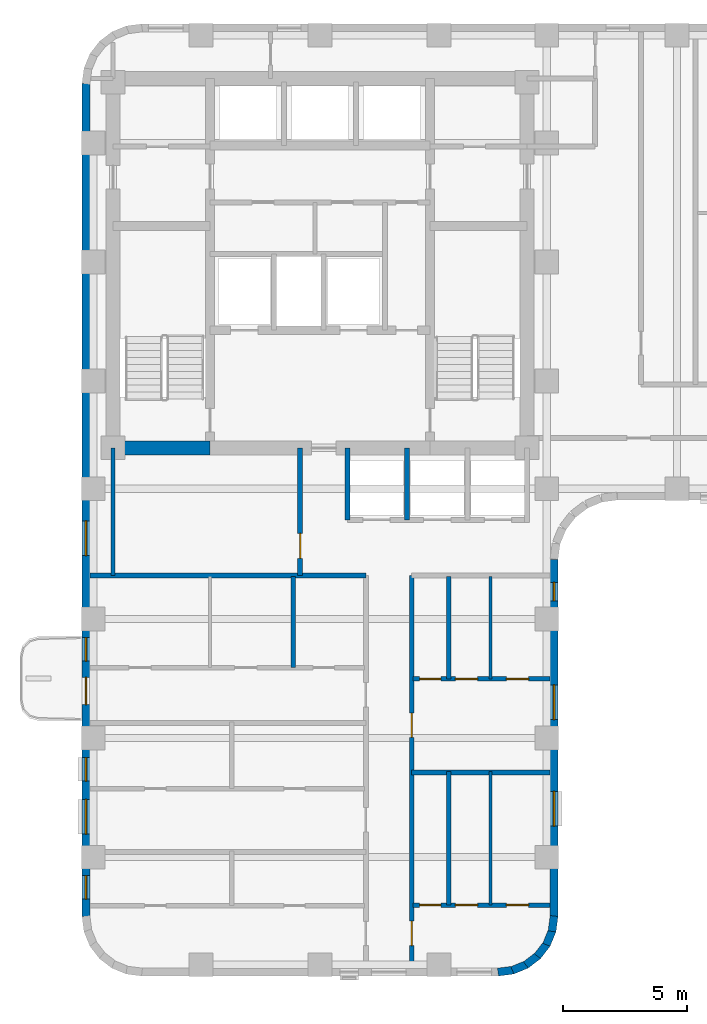
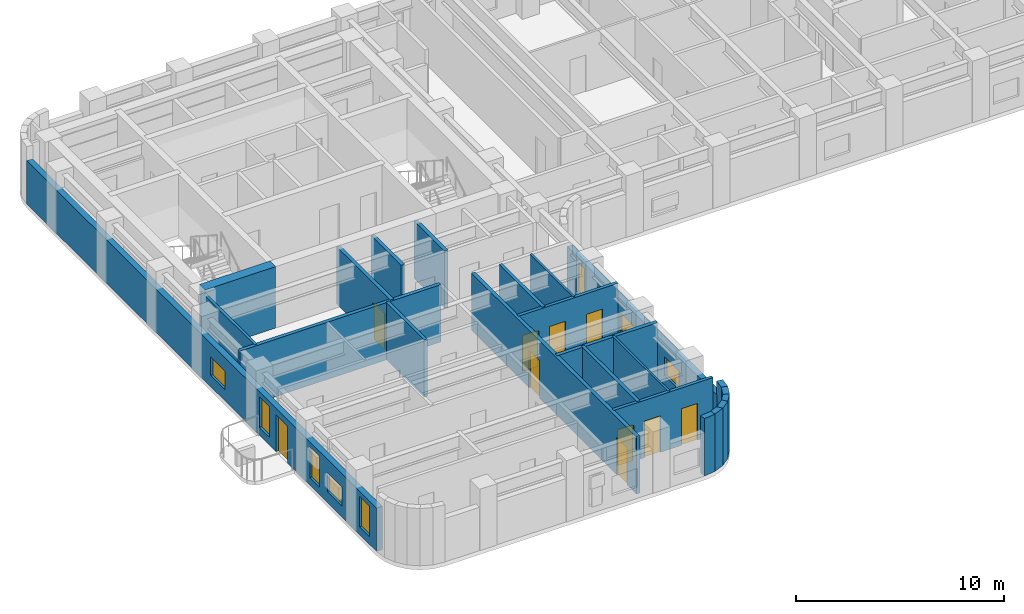
# One storey, part 3 of 10: 23 walls, 10 doors, 8 windows, 18 openings.
"""IFC4 building model written with IfcOpenShell, lengths in metres."""

from ifc_helpers import new_model, si_unit, direction, frame, frame_2d, origin, place, context, subcontext, project, spatial, rectangle, extrude, material, layer, layer_set, type_object, element, fill, save


model = new_model("IFC4")

# Units and contexts
model_context = context("Model", 3, precision=1e-05, world=origin(), true_north=direction((0.0, 1.0)))
body_context = subcontext(model_context, "Body", "Model", "MODEL_VIEW")
ifc_project = project(units=[si_unit("LENGTHUNIT", "METRE"), si_unit("AREAUNIT", "SQUARE_METRE"), si_unit("VOLUMEUNIT", "CUBIC_METRE"), si_unit("PLANEANGLEUNIT", "RADIAN"), si_unit("MASSUNIT", "GRAM", prefix="KILO")], contexts=[model_context])

# Site, building, storey
site_placement = place(None, origin())
site = spatial("IfcSite", under=ifc_project, at=site_placement, CompositionType="ELEMENT")
building_placement = place(site_placement, origin())
building = spatial("IfcBuilding", under=site, at=building_placement, Name="Orvandelia Arch Residences", CompositionType="ELEMENT")
storey_placement = place(building_placement, frame((0.0, 0.0, 132.39990234375)))
storey = spatial("IfcBuildingStorey", under=building, at=storey_placement, Name="L34", CompositionType="ELEMENT", Elevation=132.39990234375)

# Wall
ifc_material_1 = material(Name="Concrete C60/75", Category="concrete")
ifc_layer_1 = layer(ifc_material_1, 0.550048828125, Name="Concrete C60/75", Category="concrete")
ifc_layer_set_1 = layer_set([ifc_layer_1], Name="Concrete C60/75")
wall_type_1 = type_object("IfcWallType", Name="WL-CORE-550", PredefinedType="SHEAR", material=ifc_layer_set_1)
wall_1_placement = place(storey_placement, frame((6.050048828125, 30.89990234375, 0.0), z_axis=(0.0, 0.0, 1.0), x_axis=(1.0, 0.0, 0.0)))
element("IfcWall", 1, at=wall_1_placement, inside=storey, type_object=wall_type_1, Name="Core Shear Wall L34-SW", PredefinedType="SHEAR", context=body_context, shape_type="SweptSolid", body=[
    extrude(rectangle(XDim=3.909912109375, YDim=0.550048828125, at=frame_2d((1.955078125, 0.0))), origin(), (0.0, 0.0, 1.0), 3.60009765625),
])

# Wall, openings, doors
ifc_material_2 = material(Name="Fire-Rated Corridor Partition")
ifc_layer_2 = layer(ifc_material_2, 0.199951171875, Name="Fire-Rated Corridor Partition")
ifc_layer_set_2 = layer_set([ifc_layer_2], Name="Fire-Rated Corridor Partition")
wall_type_2 = type_object("IfcWallType", Name="WL-CORR-200", PredefinedType="PARTITIONING", material=ifc_layer_set_2)
wall_2_placement = place(storey_placement, frame((18.10009765625, 9.919921875, 0.0), z_axis=(0.0, 0.0, 1.0), x_axis=(0.0, 1.0, 0.0)))
wall_2 = element("IfcWall", 2, at=wall_2_placement, inside=storey, type_object=wall_type_2, Name="Interior Partition Wall WL-L34-WC-E", PredefinedType="PARTITIONING", context=body_context, shape_type="SweptSolid", body=[
    extrude(rectangle(XDim=15.830078125, YDim=0.199951171875, at=frame_2d((7.9150390625, 0.0))), origin(), (0.0, 0.0, 1.0), 3.360107421875),
])
opening_1_placement = place(wall_2_placement, frame((0.910888671875, 0.0, 0.0)))
opening_1 = element("IfcOpeningElement", 3, at=opening_1_placement, cuts=wall_2, Name="Opening D1", PredefinedType="OPENING", context=body_context, shape_type="SweptSolid", body=[
    extrude(rectangle(XDim=0.97998046875, YDim=2.179931640625, at=frame_2d((0.489990234375, 1.08984375))), frame((0.0, 0.10986328125, 0.0), z_axis=(0.0, -1.0, 0.0), x_axis=(1.0, 0.0, 0.0)), (0.0, 0.0, 1.0), 0.219970703125),
])
opening_2_placement = place(wall_2_placement, frame((9.302001953125, 0.0, 0.0)))
opening_2 = element("IfcOpeningElement", 4, at=opening_2_placement, cuts=wall_2, Name="Opening D1", PredefinedType="OPENING", context=body_context, shape_type="SweptSolid", body=[
    extrude(rectangle(XDim=0.97998046875, YDim=2.179931640625, at=frame_2d((0.489990234375, 1.08984375))), frame((0.0, 0.10986328125, 0.0), z_axis=(0.0, -1.0, 0.0), x_axis=(1.0, 0.0, 0.0)), (0.0, 0.0, 1.0), 0.219970703125),
])
ifc_material_3 = material(Name="Solid-Core Timber Acoustic Fire Door", Category="wood")
door_type_1 = type_object("IfcDoorType", Name="DR-ENT-980", OperationType="NOTDEFINED", PredefinedType="DOOR", material=ifc_material_3)
door_1_placement = place(opening_1_placement, origin())
door_1 = element("IfcDoor", 5, at=door_1_placement, inside=storey, type_object=door_type_1, Name="Unit L34-04 Entrance Door", OperationType="SINGLE_SWING_RIGHT", OverallHeight=2.179931640625, OverallWidth=0.97998046875, PredefinedType="DOOR", context=body_context, shape_type="SweptSolid", body=[
    extrude(rectangle(XDim=0.97998046875, YDim=2.179931640625, at=frame_2d((0.489990234375, 1.08984375))), frame((0.0, 0.02490234375, 0.0), z_axis=(0.0, -1.0, 0.0), x_axis=(1.0, 0.0, 0.0)), (0.0, 0.0, 1.0), 0.050048828125),
])
fill(opening_1, door_1)
door_2_placement = place(opening_2_placement, origin())
door_2 = element("IfcDoor", 6, at=door_2_placement, inside=storey, type_object=door_type_1, Name="Unit L34-05 Entrance Door", OperationType="SINGLE_SWING_LEFT", OverallHeight=2.179931640625, OverallWidth=0.97998046875, PredefinedType="DOOR", context=body_context, shape_type="SweptSolid", body=[
    extrude(rectangle(XDim=0.97998046875, YDim=2.179931640625, at=frame_2d((0.489990234375, 1.08984375))), frame((0.0, 0.02490234375, 0.0), z_axis=(0.0, -1.0, 0.0), x_axis=(1.0, 0.0, 0.0)), (0.0, 0.0, 1.0), 0.050048828125),
])
fill(opening_2, door_2)

# Walls
wall_3_placement = place(storey_placement, frame((5.1201171875, 25.75, 0.0), z_axis=(0.0, 0.0, 1.0), x_axis=(1.0, 0.0, 0.0)))
element("IfcWall", 7, at=wall_3_placement, inside=storey, type_object=wall_type_2, Name="Interior Partition Wall WL-L34-WCLS-W", PredefinedType="PARTITIONING", context=body_context, shape_type="SweptSolid", body=[
    extrude(rectangle(XDim=11.1298828125, YDim=0.199951171875, at=frame_2d((5.56494140625, 0.0))), origin(), (0.0, 0.0, 1.0), 3.360107421875),
])
ifc_material_4 = material(Name="Concrete C40/50", Category="concrete")
ifc_layer_3 = layer(ifc_material_4, 0.199951171875, Name="Concrete C40/50", Category="concrete")
ifc_layer_set_3 = layer_set([ifc_layer_3], Name="Concrete C40/50")
wall_type_3 = type_object("IfcWallType", Name="WL-DEM-200", PredefinedType="SOLIDWALL", material=ifc_layer_set_3)
wall_4_placement = place(storey_placement, frame((18.10009765625, 17.800048828125, 0.0), z_axis=(0.0, 0.0, 1.0), x_axis=(1.0, 0.0, 0.0)))
element("IfcWall", 8, at=wall_4_placement, inside=storey, type_object=wall_type_3, Name="Interior Partition Wall WL-L34-DEM-WR-178", PredefinedType="SOLIDWALL", context=body_context, shape_type="SweptSolid", body=[
    extrude(rectangle(XDim=5.579833984375, YDim=0.199951171875, at=frame_2d((2.7900390625, 0.0))), origin(), (0.0, 0.0, 1.0), 3.360107421875),
])

# Wall, openings, windows
ifc_material_5 = material(Name="Precast concrete C40/50", Category="concrete")
ifc_layer_4 = layer(ifc_material_5, 0.320068359375, Name="Precast concrete C40/50", Category="concrete")
ifc_layer_set_4 = layer_set([ifc_layer_4], Name="Precast concrete C40/50")
wall_type_4 = type_object("IfcWallType", Name="WL-EXT-STONE-320", PredefinedType="STANDARD", material=ifc_layer_set_4)
wall_5_placement = place(storey_placement, frame((23.840087890625, 26.39990234375, 0.0), z_axis=(0.0, 0.0, 1.0), x_axis=(0.0, -1.0, 0.0)))
wall_5 = element("IfcWall", 9, at=wall_5_placement, inside=storey, type_object=wall_type_4, Name="Coral-Limestone Precast Facade Wall L34-028", PredefinedType="STANDARD", context=body_context, shape_type="SweptSolid", body=[
    extrude(rectangle(XDim=14.39990234375, YDim=0.320068359375, at=frame_2d((7.199951171875, 0.0))), origin(), (0.0, 0.0, 1.0), 2.5400390625),
])
opening_3_placement = place(wall_5_placement, frame((9.3525390625, 0.0, 0.64990234375)))
opening_3 = element("IfcOpeningElement", 10, at=opening_3_placement, cuts=wall_5, Name="Opening W10", PredefinedType="OPENING", context=body_context, shape_type="SweptSolid", body=[
    extrude(rectangle(XDim=1.39990234375, YDim=1.10009765625, at=frame_2d((0.699951171875, 0.550048828125))), frame((0.0, 0.169921875, 0.0), z_axis=(0.0, -1.0, 0.0), x_axis=(1.0, 0.0, 0.0)), (0.0, 0.0, 1.0), 0.340087890625),
])
opening_4_placement = place(wall_5_placement, frame((0.91748046875, 0.0, 0.449951171875)))
opening_4 = element("IfcOpeningElement", 11, at=opening_4_placement, cuts=wall_5, Name="Opening W11", PredefinedType="OPENING", context=body_context, shape_type="SweptSolid", body=[
    extrude(rectangle(XDim=0.75, YDim=1.800048828125, at=frame_2d((0.375, 0.89990234375))), frame((0.0, 0.169921875, 0.0), z_axis=(0.0, -1.0, 0.0), x_axis=(1.0, 0.0, 0.0)), (0.0, 0.0, 1.0), 0.340087890625),
])
opening_5_placement = place(wall_5_placement, frame((5.060546875, 0.0, 0.64990234375)))
opening_5 = element("IfcOpeningElement", 12, at=opening_5_placement, cuts=wall_5, Name="Opening W10", PredefinedType="OPENING", context=body_context, shape_type="SweptSolid", body=[
    extrude(rectangle(XDim=1.39990234375, YDim=1.10009765625, at=frame_2d((0.699951171875, 0.550048828125))), frame((0.0, 0.169921875, 0.0), z_axis=(0.0, -1.0, 0.0), x_axis=(1.0, 0.0, 0.0)), (0.0, 0.0, 1.0), 0.340087890625),
])
ifc_material_6 = material(Name="Tempered Low-E Insulated Glazing", Category="glass")
window_type_1 = type_object("IfcWindowType", Name="WIN-BED-0750x1800", PartitioningType="SINGLE_PANEL", PredefinedType="WINDOW", material=ifc_material_6)
window_1_placement = place(opening_4_placement, origin())
window_1 = element("IfcWindow", 13, at=window_1_placement, inside=storey, type_object=window_type_1, Name="Recessed Punched Window L34-016", OverallHeight=1.800048828125, OverallWidth=0.75, PartitioningType="SINGLE_PANEL", PredefinedType="WINDOW", context=body_context, shape_type="SweptSolid", body=[
    extrude(rectangle(XDim=0.75, YDim=1.800048828125, at=frame_2d((0.375, 0.89990234375))), frame((0.0, 0.030029296875, 0.0), z_axis=(0.0, -1.0, 0.0), x_axis=(1.0, 0.0, 0.0)), (0.0, 0.0, 1.0), 0.06005859375),
])
fill(opening_4, window_1)
window_type_2 = type_object("IfcWindowType", Name="WIN-CLR-1400x1100", PartitioningType="SINGLE_PANEL", PredefinedType="WINDOW", material=ifc_material_6)
window_2_placement = place(opening_3_placement, origin())
window_2 = element("IfcWindow", 14, at=window_2_placement, inside=storey, type_object=window_type_2, Name="Recessed Punched Window L34-015", OverallHeight=1.10009765625, OverallWidth=1.39990234375, PartitioningType="SINGLE_PANEL", PredefinedType="WINDOW", context=body_context, shape_type="SweptSolid", body=[
    extrude(rectangle(XDim=1.39990234375, YDim=1.10009765625, at=frame_2d((0.699951171875, 0.550048828125))), frame((0.0, 0.030029296875, 0.0), z_axis=(0.0, -1.0, 0.0), x_axis=(1.0, 0.0, 0.0)), (0.0, 0.0, 1.0), 0.06005859375),
])
fill(opening_3, window_2)
window_3_placement = place(opening_5_placement, origin())
window_3 = element("IfcWindow", 15, at=window_3_placement, inside=storey, type_object=window_type_2, Name="Recessed Punched Window L34-017", OverallHeight=1.10009765625, OverallWidth=1.39990234375, PartitioningType="SINGLE_PANEL", PredefinedType="WINDOW", context=body_context, shape_type="SweptSolid", body=[
    extrude(rectangle(XDim=1.39990234375, YDim=1.10009765625, at=frame_2d((0.699951171875, 0.550048828125))), frame((0.0, 0.030029296875, 0.0), z_axis=(0.0, -1.0, 0.0), x_axis=(1.0, 0.0, 0.0)), (0.0, 0.0, 1.0), 0.06005859375),
])
fill(opening_5, window_3)

# Walls
wall_6_placement = place(storey_placement, frame((23.84130859375, 12.02099609375, 0.0), z_axis=(0.0, 0.0, 1.0), x_axis=(-0.130504898859, -0.991447664465, 0.0)))
element("IfcWall", 16, at=wall_6_placement, inside=storey, type_object=wall_type_4, Name="Coral-Limestone Precast Facade Wall L34-029", PredefinedType="STANDARD", context=body_context, shape_type="SweptSolid", body=[
    extrude(rectangle(XDim=0.626708984375, YDim=0.320068359375, at=frame_2d((0.3134765625, 0.0))), origin(), (0.0, 0.0, 1.0), 3.360107421875),
])
for number, where, z_axis, x_axis, name in (
    (17, (23.7705078125, 11.43994140625, 0.0), (0.0, 0.0, 1.0), (-0.382650053678, -0.92389335771, 0.0), "Coral-Limestone Precast Facade Wall L34-030"),
    (18, (23.551513671875, 10.8974609375, 0.0), (0.0, 0.0, 1.0), (-0.608693302629, -0.793405610854, 0.0), "Coral-Limestone Precast Facade Wall L34-031"),
    (19, (23.19970703125, 10.4296875, 0.0), (0.0, 0.0, 1.0), (-0.793405610854, -0.608693302629, 0.0), "Coral-Limestone Precast Facade Wall L34-032"),
    (20, (22.73876953125, 10.0693359375, 0.0), (0.0, 0.0, 1.0), (-0.92389335771, -0.382650053678, 0.0), "Coral-Limestone Precast Facade Wall L34-033"),
    (21, (22.2001953125, 9.84033203125, 0.0), (0.0, 0.0, 1.0), (-0.9914410257, -0.130555323746, 0.0), "Coral-Limestone Precast Facade Wall L34-034"),
):
    element("IfcWall", number, at=place(storey_placement, frame(where, z_axis=z_axis, x_axis=x_axis)), inside=storey, type_object=wall_type_4, Name=name, PredefinedType="STANDARD", context=body_context, shape_type="SweptSolid", body=[
        extrude(rectangle(XDim=0.62646484375, YDim=0.320068359375, at=frame_2d((0.313232421875, 0.0))), origin(), (0.0, 0.0, 1.0), 3.360107421875),
    ])

# Wall, openings, door, windows
wall_7_placement = place(storey_placement, frame((4.9599609375, 12.0, 0.0), z_axis=(0.0, 0.0, 1.0), x_axis=(0.0, 1.0, 0.0)))
wall_7 = element("IfcWall", 22, at=wall_7_placement, inside=storey, type_object=wall_type_4, Name="Coral-Limestone Precast Facade Wall L34-042", PredefinedType="STANDARD", context=body_context, shape_type="SweptSolid", body=[
    extrude(rectangle(XDim=33.60009765625, YDim=0.320068359375, at=frame_2d((16.800048828125, 0.0))), origin(), (0.0, 0.0, 1.0), 2.5400390625),
])
opening_6_placement = place(wall_7_placement, frame((8.550048828125, 0.0, 0.0)))
opening_6 = element("IfcOpeningElement", 23, at=opening_6_placement, cuts=wall_7, Name="Opening BD1", PredefinedType="OPENING", context=body_context, shape_type="SweptSolid", body=[
    extrude(rectangle(XDim=1.10009765625, YDim=2.14990234375, at=frame_2d((0.550048828125, 1.074951171875))), frame((0.0, 0.169921875, 0.0), z_axis=(0.0, -1.0, 0.0), x_axis=(1.0, 0.0, 0.0)), (0.0, 0.0, 1.0), 0.340087890625),
])
opening_7_placement = place(wall_7_placement, frame((3.327392578125, 0.0, 0.64990234375)))
opening_7 = element("IfcOpeningElement", 24, at=opening_7_placement, cuts=wall_7, Name="Opening W10", PredefinedType="OPENING", context=body_context, shape_type="SweptSolid", body=[
    extrude(rectangle(XDim=1.39990234375, YDim=1.10009765625, at=frame_2d((0.699951171875, 0.550048828125))), frame((0.0, 0.169921875, 0.0), z_axis=(0.0, -1.0, 0.0), x_axis=(1.0, 0.0, 0.0)), (0.0, 0.0, 1.0), 0.340087890625),
])
opening_8_placement = place(wall_7_placement, frame((10.297607421875, 0.0, 0.449951171875)))
opening_8 = element("IfcOpeningElement", 25, at=opening_8_placement, cuts=wall_7, Name="Opening W4", PredefinedType="OPENING", context=body_context, shape_type="SweptSolid", body=[
    extrude(rectangle(XDim=0.949951171875, YDim=1.800048828125, at=frame_2d((0.47509765625, 0.89990234375))), frame((0.0, 0.169921875, 0.0), z_axis=(0.0, -1.0, 0.0), x_axis=(1.0, 0.0, 0.0)), (0.0, 0.0, 1.0), 0.340087890625),
])
opening_9_placement = place(wall_7_placement, frame((0.699462890625, 0.0, 0.449951171875)))
opening_9 = element("IfcOpeningElement", 26, at=opening_9_placement, cuts=wall_7, Name="Opening W4", PredefinedType="OPENING", context=body_context, shape_type="SweptSolid", body=[
    extrude(rectangle(XDim=0.949951171875, YDim=1.800048828125, at=frame_2d((0.47509765625, 0.89990234375))), frame((0.0, 0.169921875, 0.0), z_axis=(0.0, -1.0, 0.0), x_axis=(1.0, 0.0, 0.0)), (0.0, 0.0, 1.0), 0.340087890625),
])
opening_10_placement = place(wall_7_placement, frame((5.45751953125, 0.0, 0.449951171875)))
opening_10 = element("IfcOpeningElement", 27, at=opening_10_placement, cuts=wall_7, Name="Opening W4", PredefinedType="OPENING", context=body_context, shape_type="SweptSolid", body=[
    extrude(rectangle(XDim=0.949951171875, YDim=1.800048828125, at=frame_2d((0.47509765625, 0.89990234375))), frame((0.0, 0.169921875, 0.0), z_axis=(0.0, -1.0, 0.0), x_axis=(1.0, 0.0, 0.0)), (0.0, 0.0, 1.0), 0.340087890625),
])
opening_11_placement = place(wall_7_placement, frame((14.5576171875, 0.0, 0.64990234375)))
opening_11 = element("IfcOpeningElement", 28, at=opening_11_placement, cuts=wall_7, Name="Opening W10", PredefinedType="OPENING", context=body_context, shape_type="SweptSolid", body=[
    extrude(rectangle(XDim=1.39990234375, YDim=1.10009765625, at=frame_2d((0.699951171875, 0.550048828125))), frame((0.0, 0.169921875, 0.0), z_axis=(0.0, -1.0, 0.0), x_axis=(1.0, 0.0, 0.0)), (0.0, 0.0, 1.0), 0.340087890625),
])
ifc_material_7 = material(Name="Thermally Broken Aluminium Glazed Door", Category="aluminium")
door_type_2 = type_object("IfcDoorType", Name="DR-BAL-GLAZ-1100", OperationType="NOTDEFINED", PredefinedType="DOOR", material=ifc_material_7)
door_3_placement = place(opening_6_placement, origin())
door_3 = element("IfcDoor", 29, at=door_3_placement, inside=storey, type_object=door_type_2, Name="Tree Balcony Glazed Door BAL-L34-W1", OperationType="SINGLE_SWING_RIGHT", OverallHeight=2.14990234375, OverallWidth=1.10009765625, PredefinedType="DOOR", context=body_context, shape_type="SweptSolid", body=[
    extrude(rectangle(XDim=1.10009765625, YDim=2.14990234375, at=frame_2d((0.550048828125, 1.074951171875))), frame((0.0, 0.02490234375, 0.0), z_axis=(0.0, -1.0, 0.0), x_axis=(1.0, 0.0, 0.0)), (0.0, 0.0, 1.0), 0.050048828125),
])
fill(opening_6, door_3)
window_4_placement = place(opening_7_placement, origin())
window_4 = element("IfcWindow", 30, at=window_4_placement, inside=storey, type_object=window_type_2, Name="Recessed Punched Window L34-021", OverallHeight=1.10009765625, OverallWidth=1.39990234375, PartitioningType="SINGLE_PANEL", PredefinedType="WINDOW", context=body_context, shape_type="SweptSolid", body=[
    extrude(rectangle(XDim=1.39990234375, YDim=1.10009765625, at=frame_2d((0.699951171875, 0.550048828125))), frame((0.0, 0.030029296875, 0.0), z_axis=(0.0, -1.0, 0.0), x_axis=(1.0, 0.0, 0.0)), (0.0, 0.0, 1.0), 0.06005859375),
])
fill(opening_7, window_4)
window_5_placement = place(opening_11_placement, origin())
window_5 = element("IfcWindow", 31, at=window_5_placement, inside=storey, type_object=window_type_2, Name="Recessed Punched Window L34-025", OverallHeight=1.10009765625, OverallWidth=1.39990234375, PartitioningType="SINGLE_PANEL", PredefinedType="WINDOW", context=body_context, shape_type="SweptSolid", body=[
    extrude(rectangle(XDim=1.39990234375, YDim=1.10009765625, at=frame_2d((0.699951171875, 0.550048828125))), frame((0.0, 0.030029296875, 0.0), z_axis=(0.0, -1.0, 0.0), x_axis=(1.0, 0.0, 0.0)), (0.0, 0.0, 1.0), 0.06005859375),
])
fill(opening_11, window_5)
window_type_3 = type_object("IfcWindowType", Name="WIN-RES-0950x1800", PartitioningType="SINGLE_PANEL", PredefinedType="WINDOW", material=ifc_material_6)
window_6_placement = place(opening_8_placement, origin())
window_6 = element("IfcWindow", 32, at=window_6_placement, inside=storey, type_object=window_type_3, Name="Recessed Punched Window L34-022", OverallHeight=1.800048828125, OverallWidth=0.949951171875, PartitioningType="SINGLE_PANEL", PredefinedType="WINDOW", context=body_context, shape_type="SweptSolid", body=[
    extrude(rectangle(XDim=0.949951171875, YDim=1.800048828125, at=frame_2d((0.47509765625, 0.89990234375))), frame((0.0, 0.030029296875, 0.0), z_axis=(0.0, -1.0, 0.0), x_axis=(1.0, 0.0, 0.0)), (0.0, 0.0, 1.0), 0.06005859375),
])
fill(opening_8, window_6)
window_7_placement = place(opening_9_placement, origin())
window_7 = element("IfcWindow", 33, at=window_7_placement, inside=storey, type_object=window_type_3, Name="Recessed Punched Window L34-023", OverallHeight=1.800048828125, OverallWidth=0.949951171875, PartitioningType="SINGLE_PANEL", PredefinedType="WINDOW", context=body_context, shape_type="SweptSolid", body=[
    extrude(rectangle(XDim=0.949951171875, YDim=1.800048828125, at=frame_2d((0.47509765625, 0.89990234375))), frame((0.0, 0.030029296875, 0.0), z_axis=(0.0, -1.0, 0.0), x_axis=(1.0, 0.0, 0.0)), (0.0, 0.0, 1.0), 0.06005859375),
])
fill(opening_9, window_7)
window_8_placement = place(opening_10_placement, origin())
window_8 = element("IfcWindow", 34, at=window_8_placement, inside=storey, type_object=window_type_3, Name="Recessed Punched Window L34-024", OverallHeight=1.800048828125, OverallWidth=0.949951171875, PartitioningType="SINGLE_PANEL", PredefinedType="WINDOW", context=body_context, shape_type="SweptSolid", body=[
    extrude(rectangle(XDim=0.949951171875, YDim=1.800048828125, at=frame_2d((0.47509765625, 0.89990234375))), frame((0.0, 0.030029296875, 0.0), z_axis=(0.0, -1.0, 0.0), x_axis=(1.0, 0.0, 0.0)), (0.0, 0.0, 1.0), 0.06005859375),
])
fill(opening_10, window_8)

# Walls
ifc_material_8 = material(Name="Lightweight Gypsum Stud Partition")
ifc_layer_5 = layer(ifc_material_8, 0.1201171875, Name="Lightweight Gypsum Stud Partition")
ifc_layer_set_5 = layer_set([ifc_layer_5], Name="Lightweight Gypsum Stud Partition")
wall_type_5 = type_object("IfcWallType", Name="WL-PART-120", PredefinedType="PARTITIONING", material=ifc_layer_set_5)
wall_8_placement = place(storey_placement, frame((21.284912109375, 12.4619140625, 0.0), z_axis=(0.0, 0.0, 1.0), x_axis=(0.0, 1.0, 0.0)))
element("IfcWall", 35, at=wall_8_placement, inside=storey, type_object=wall_type_5, Name="Interior Partition Wall WL-L34-U04-V2", PredefinedType="PARTITIONING", context=body_context, shape_type="SweptSolid", body=[
    extrude(rectangle(XDim=5.378173828125, YDim=0.1201171875, at=frame_2d((2.68896484375, 0.0))), origin(), (0.0, 0.0, 1.0), 3.360107421875),
])
wall_9_placement = place(storey_placement, frame((21.284912109375, 21.583984375, 0.0), z_axis=(0.0, 0.0, 1.0), x_axis=(0.0, 1.0, 0.0)))
element("IfcWall", 36, at=wall_9_placement, inside=storey, type_object=wall_type_5, Name="Interior Partition Wall WL-L34-U05-V2", PredefinedType="PARTITIONING", context=body_context, shape_type="SweptSolid", body=[
    extrude(rectangle(XDim=4.135986328125, YDim=0.1201171875, at=frame_2d((2.06787109375, 0.0))), origin(), (0.0, 0.0, 1.0), 3.360107421875),
])
ifc_material_9 = material(Name="Acoustic Gypsum Stud Partition")
ifc_layer_6 = layer(ifc_material_9, 0.14990234375, Name="Acoustic Gypsum Stud Partition")
ifc_layer_set_6 = layer_set([ifc_layer_6], Name="Acoustic Gypsum Stud Partition")
wall_type_6 = type_object("IfcWallType", Name="WL-PART-150", PredefinedType="PARTITIONING", material=ifc_layer_set_6)
wall_10_placement = place(storey_placement, frame((6.050048828125, 25.75, 0.0), z_axis=(0.0, 0.0, 1.0), x_axis=(0.0, 1.0, 0.0)))
element("IfcWall", 37, at=wall_10_placement, inside=storey, type_object=wall_type_6, Name="Interior Partition Wall WL-L34-B1REUSE-W", PredefinedType="PARTITIONING", context=body_context, shape_type="SweptSolid", body=[
    extrude(rectangle(XDim=5.14990234375, YDim=0.14990234375, at=frame_2d((2.574951171875, 0.0))), origin(), (0.0, 0.0, 1.0), 3.360107421875),
])

# Wall, opening, door
ifc_material_10 = material(Name="Fire-Rated Shaft Enclosure Wall")
ifc_layer_7 = layer(ifc_material_10, 0.199951171875, Name="Fire-Rated Shaft Enclosure Wall")
ifc_layer_set_7 = layer_set([ifc_layer_7], Name="Fire-Rated Shaft Enclosure Wall")
wall_type_7 = type_object("IfcWallType", Name="WL-SHAFT-200", PredefinedType="POLYGONAL", material=ifc_layer_set_7)
wall_11_placement = place(storey_placement, frame((13.60009765625, 25.75, 0.0), z_axis=(0.0, 0.0, 1.0), x_axis=(0.0, 1.0, 0.0)))
wall_11 = element("IfcWall", 38, at=wall_11_placement, inside=storey, type_object=wall_type_7, Name="Interior Partition Wall WL-L34-B1REUSE-E", PredefinedType="POLYGONAL", context=body_context, shape_type="SweptSolid", body=[
    extrude(rectangle(XDim=5.14990234375, YDim=0.199951171875, at=frame_2d((2.574951171875, 0.0))), origin(), (0.0, 0.0, 1.0), 3.360107421875),
])
opening_12_placement = place(wall_11_placement, frame((0.699951171875, 0.0, 0.0)))
opening_12 = element("IfcOpeningElement", 39, at=opening_12_placement, cuts=wall_11, Name="Opening D6", PredefinedType="OPENING", context=body_context, shape_type="SweptSolid", body=[
    extrude(rectangle(XDim=1.0, YDim=2.14990234375, at=frame_2d((0.5, 1.074951171875))), frame((0.0, 0.10986328125, 0.0), z_axis=(0.0, -1.0, 0.0), x_axis=(1.0, 0.0, 0.0)), (0.0, 0.0, 1.0), 0.219970703125),
])
ifc_material_11 = material(Name="Smokeproof Painted Steel Fire Door", Category="steel")
door_type_3 = type_object("IfcDoorType", Name="DR-FD60-1000", OperationType="NOTDEFINED", PredefinedType="DOOR", material=ifc_material_11)
door_4_placement = place(opening_12_placement, origin())
door_4 = element("IfcDoor", 40, at=door_4_placement, inside=storey, type_object=door_type_3, Name="DR-L34-B1REUSE", OperationType="SINGLE_SWING_LEFT", OverallHeight=2.14990234375, OverallWidth=1.0, PredefinedType="DOOR", context=body_context, shape_type="SweptSolid", body=[
    extrude(rectangle(XDim=1.0, YDim=2.14990234375, at=frame_2d((0.5, 1.074951171875))), frame((0.0, 0.02490234375, 0.0), z_axis=(0.0, -1.0, 0.0), x_axis=(1.0, 0.0, 0.0)), (0.0, 0.0, 1.0), 0.050048828125),
])
fill(opening_12, door_4)

# Walls
for number, where, z_axis, x_axis, name in (
    (41, (15.5, 28.0, 0.0), (0.0, 0.0, 1.0), (0.0, 1.0, 0.0), "Interior Partition Wall WL-L34-BNKM-W"),
    (42, (17.89990234375, 28.0, 0.0), (0.0, 0.0, 1.0), (0.0, 1.0, 0.0), "Interior Partition Wall WL-L34-BNKMD-1789"),
):
    element("IfcWall", number, at=place(storey_placement, frame(where, z_axis=z_axis, x_axis=x_axis)), inside=storey, type_object=wall_type_7, Name=name, PredefinedType="POLYGONAL", context=body_context, shape_type="SweptSolid", body=[
        extrude(rectangle(XDim=2.89990234375, YDim=0.199951171875, at=frame_2d((1.449951171875, 0.0))), origin(), (0.0, 0.0, 1.0), 3.360107421875),
    ])
ifc_material_12 = material(Name="Moisture-Resistant Plumbing Wall")
ifc_layer_8 = layer(ifc_material_12, 0.179931640625, Name="Moisture-Resistant Plumbing Wall")
ifc_layer_set_8 = layer_set([ifc_layer_8], Name="Moisture-Resistant Plumbing Wall")
wall_type_8 = type_object("IfcWallType", Name="WL-WET-180", PredefinedType="PLUMBINGWALL", material=ifc_layer_set_8)
wall_12_placement = place(storey_placement, frame((13.322998046875, 22.0400390625, 0.0), z_axis=(0.0, 0.0, 1.0), x_axis=(0.0, 1.0, 0.0)))
element("IfcWall", 43, at=wall_12_placement, inside=storey, type_object=wall_type_8, Name="Interior Partition Wall WL-L34-U03-V2", PredefinedType="PLUMBINGWALL", context=body_context, shape_type="SweptSolid", body=[
    extrude(rectangle(XDim=3.679931640625, YDim=0.179931640625, at=frame_2d((1.83984375, 0.0))), origin(), (0.0, 0.0, 1.0), 3.360107421875),
])

# Wall, openings, doors
wall_13_placement = place(storey_placement, frame((18.159912109375, 12.4619140625, 0.0), z_axis=(0.0, 0.0, 1.0), x_axis=(1.0, 0.0, 0.0)))
wall_13 = element("IfcWall", 44, at=wall_13_placement, inside=storey, type_object=wall_type_8, Name="Interior Partition Wall WL-L34-U04-HZ", PredefinedType="PLUMBINGWALL", context=body_context, shape_type="SweptSolid", body=[
    extrude(rectangle(XDim=5.52001953125, YDim=0.179931640625, at=frame_2d((2.760009765625, 0.0))), origin(), (0.0, 0.0, 1.0), 3.360107421875),
])
opening_13_placement = place(wall_13_placement, frame((0.260009765625, 0.0, 0.0)))
opening_13 = element("IfcOpeningElement", 45, at=opening_13_placement, cuts=wall_13, Name="Opening D4", PredefinedType="OPENING", context=body_context, shape_type="SweptSolid", body=[
    extrude(rectangle(XDim=0.860107421875, YDim=2.10009765625, at=frame_2d((0.43017578125, 1.050048828125))), frame((0.0, 0.10009765625, 0.0), z_axis=(0.0, -1.0, 0.0), x_axis=(1.0, 0.0, 0.0)), (0.0, 0.0, 1.0), 0.199951171875),
])
opening_14_placement = place(wall_13_placement, frame((1.697998046875, 0.0, 0.0)))
opening_14 = element("IfcOpeningElement", 46, at=opening_14_placement, cuts=wall_13, Name="Opening D3", PredefinedType="OPENING", context=body_context, shape_type="SweptSolid", body=[
    extrude(rectangle(XDim=0.89990234375, YDim=2.14990234375, at=frame_2d((0.449951171875, 1.074951171875))), frame((0.0, 0.10009765625, 0.0), z_axis=(0.0, -1.0, 0.0), x_axis=(1.0, 0.0, 0.0)), (0.0, 0.0, 1.0), 0.199951171875),
])
opening_15_placement = place(wall_13_placement, frame((3.757080078125, 0.0, 0.0)))
opening_15 = element("IfcOpeningElement", 47, at=opening_15_placement, cuts=wall_13, Name="Opening D3", PredefinedType="OPENING", context=body_context, shape_type="SweptSolid", body=[
    extrude(rectangle(XDim=0.89990234375, YDim=2.14990234375, at=frame_2d((0.449951171875, 1.074951171875))), frame((0.0, 0.10009765625, 0.0), z_axis=(0.0, -1.0, 0.0), x_axis=(1.0, 0.0, 0.0)), (0.0, 0.0, 1.0), 0.199951171875),
])
ifc_material_13 = material(Name="Engineered Timber Flush Door", Category="wood")
door_type_4 = type_object("IfcDoorType", Name="DR-INT-900", OperationType="NOTDEFINED", PredefinedType="DOOR", material=ifc_material_13)
door_5_placement = place(opening_14_placement, origin())
door_5 = element("IfcDoor", 48, at=door_5_placement, inside=storey, type_object=door_type_4, Name="DR-L34-U04-KIT", OperationType="SINGLE_SWING_RIGHT", OverallHeight=2.14990234375, OverallWidth=0.89990234375, PredefinedType="DOOR", context=body_context, shape_type="SweptSolid", body=[
    extrude(rectangle(XDim=0.89990234375, YDim=2.14990234375, at=frame_2d((0.449951171875, 1.074951171875))), frame((0.0, 0.02490234375, 0.0), z_axis=(0.0, -1.0, 0.0), x_axis=(1.0, 0.0, 0.0)), (0.0, 0.0, 1.0), 0.050048828125),
])
fill(opening_14, door_5)
door_6_placement = place(opening_15_placement, origin())
door_6 = element("IfcDoor", 49, at=door_6_placement, inside=storey, type_object=door_type_4, Name="DR-L34-U04-BD1", OperationType="SINGLE_SWING_LEFT", OverallHeight=2.14990234375, OverallWidth=0.89990234375, PredefinedType="DOOR", context=body_context, shape_type="SweptSolid", body=[
    extrude(rectangle(XDim=0.89990234375, YDim=2.14990234375, at=frame_2d((0.449951171875, 1.074951171875))), frame((0.0, 0.02490234375, 0.0), z_axis=(0.0, -1.0, 0.0), x_axis=(1.0, 0.0, 0.0)), (0.0, 0.0, 1.0), 0.050048828125),
])
fill(opening_15, door_6)
ifc_material_14 = material(Name="Moisture-Sealed Timber Bathroom Door", Category="wood")
door_type_5 = type_object("IfcDoorType", Name="DR-WET-900", OperationType="NOTDEFINED", PredefinedType="DOOR", material=ifc_material_14)
door_7_placement = place(opening_13_placement, origin())
door_7 = element("IfcDoor", 50, at=door_7_placement, inside=storey, type_object=door_type_5, Name="DR-L34-U04-BTH", OperationType="SINGLE_SWING_LEFT", OverallHeight=2.10009765625, OverallWidth=0.860107421875, PredefinedType="DOOR", context=body_context, shape_type="SweptSolid", body=[
    extrude(rectangle(XDim=0.860107421875, YDim=2.10009765625, at=frame_2d((0.43017578125, 1.050048828125))), frame((0.0, 0.02490234375, 0.0), z_axis=(0.0, -1.0, 0.0), x_axis=(1.0, 0.0, 0.0)), (0.0, 0.0, 1.0), 0.050048828125),
])
fill(opening_13, door_7)

# Wall
wall_14_placement = place(storey_placement, frame((19.597900390625, 12.4619140625, 0.0), z_axis=(0.0, 0.0, 1.0), x_axis=(0.0, 1.0, 0.0)))
element("IfcWall", 51, at=wall_14_placement, inside=storey, type_object=wall_type_8, Name="Interior Partition Wall WL-L34-U04-V1", PredefinedType="PLUMBINGWALL", context=body_context, shape_type="SweptSolid", body=[
    extrude(rectangle(XDim=5.378173828125, YDim=0.179931640625, at=frame_2d((2.68896484375, 0.0))), origin(), (0.0, 0.0, 1.0), 3.360107421875),
])

# Wall, openings, doors
wall_15_placement = place(storey_placement, frame((18.159912109375, 21.583984375, 0.0), z_axis=(0.0, 0.0, 1.0), x_axis=(1.0, 0.0, 0.0)))
wall_15 = element("IfcWall", 52, at=wall_15_placement, inside=storey, type_object=wall_type_8, Name="Interior Partition Wall WL-L34-U05-HZ", PredefinedType="PLUMBINGWALL", context=body_context, shape_type="SweptSolid", body=[
    extrude(rectangle(XDim=5.52001953125, YDim=0.179931640625, at=frame_2d((2.760009765625, 0.0))), origin(), (0.0, 0.0, 1.0), 3.360107421875),
])
opening_16_placement = place(wall_15_placement, frame((0.260009765625, 0.0, 0.0)))
opening_16 = element("IfcOpeningElement", 53, at=opening_16_placement, cuts=wall_15, Name="Opening D4", PredefinedType="OPENING", context=body_context, shape_type="SweptSolid", body=[
    extrude(rectangle(XDim=0.860107421875, YDim=2.10009765625, at=frame_2d((0.43017578125, 1.050048828125))), frame((0.0, 0.10009765625, 0.0), z_axis=(0.0, -1.0, 0.0), x_axis=(1.0, 0.0, 0.0)), (0.0, 0.0, 1.0), 0.199951171875),
])
opening_17_placement = place(wall_15_placement, frame((1.697998046875, 0.0, 0.0)))
opening_17 = element("IfcOpeningElement", 54, at=opening_17_placement, cuts=wall_15, Name="Opening D3", PredefinedType="OPENING", context=body_context, shape_type="SweptSolid", body=[
    extrude(rectangle(XDim=0.89990234375, YDim=2.14990234375, at=frame_2d((0.449951171875, 1.074951171875))), frame((0.0, 0.10009765625, 0.0), z_axis=(0.0, -1.0, 0.0), x_axis=(1.0, 0.0, 0.0)), (0.0, 0.0, 1.0), 0.199951171875),
])
opening_18_placement = place(wall_15_placement, frame((3.757080078125, 0.0, 0.0)))
opening_18 = element("IfcOpeningElement", 55, at=opening_18_placement, cuts=wall_15, Name="Opening D3", PredefinedType="OPENING", context=body_context, shape_type="SweptSolid", body=[
    extrude(rectangle(XDim=0.89990234375, YDim=2.14990234375, at=frame_2d((0.449951171875, 1.074951171875))), frame((0.0, 0.10009765625, 0.0), z_axis=(0.0, -1.0, 0.0), x_axis=(1.0, 0.0, 0.0)), (0.0, 0.0, 1.0), 0.199951171875),
])
door_8_placement = place(opening_17_placement, origin())
door_8 = element("IfcDoor", 56, at=door_8_placement, inside=storey, type_object=door_type_4, Name="DR-L34-U05-KIT", OperationType="SINGLE_SWING_LEFT", OverallHeight=2.14990234375, OverallWidth=0.89990234375, PredefinedType="DOOR", context=body_context, shape_type="SweptSolid", body=[
    extrude(rectangle(XDim=0.89990234375, YDim=2.14990234375, at=frame_2d((0.449951171875, 1.074951171875))), frame((0.0, 0.02490234375, 0.0), z_axis=(0.0, -1.0, 0.0), x_axis=(1.0, 0.0, 0.0)), (0.0, 0.0, 1.0), 0.050048828125),
])
fill(opening_17, door_8)
door_9_placement = place(opening_18_placement, origin())
door_9 = element("IfcDoor", 57, at=door_9_placement, inside=storey, type_object=door_type_4, Name="DR-L34-U05-BD1", OperationType="SINGLE_SWING_RIGHT", OverallHeight=2.14990234375, OverallWidth=0.89990234375, PredefinedType="DOOR", context=body_context, shape_type="SweptSolid", body=[
    extrude(rectangle(XDim=0.89990234375, YDim=2.14990234375, at=frame_2d((0.449951171875, 1.074951171875))), frame((0.0, 0.02490234375, 0.0), z_axis=(0.0, -1.0, 0.0), x_axis=(1.0, 0.0, 0.0)), (0.0, 0.0, 1.0), 0.050048828125),
])
fill(opening_18, door_9)
door_10_placement = place(opening_16_placement, origin())
door_10 = element("IfcDoor", 58, at=door_10_placement, inside=storey, type_object=door_type_5, Name="DR-L34-U05-BTH", OperationType="SINGLE_SWING_RIGHT", OverallHeight=2.10009765625, OverallWidth=0.860107421875, PredefinedType="DOOR", context=body_context, shape_type="SweptSolid", body=[
    extrude(rectangle(XDim=0.860107421875, YDim=2.10009765625, at=frame_2d((0.43017578125, 1.050048828125))), frame((0.0, 0.02490234375, 0.0), z_axis=(0.0, -1.0, 0.0), x_axis=(1.0, 0.0, 0.0)), (0.0, 0.0, 1.0), 0.050048828125),
])
fill(opening_16, door_10)

# Wall
wall_16_placement = place(storey_placement, frame((19.597900390625, 21.583984375, 0.0), z_axis=(0.0, 0.0, 1.0), x_axis=(0.0, 1.0, 0.0)))
element("IfcWall", 59, at=wall_16_placement, inside=storey, type_object=wall_type_8, Name="Interior Partition Wall WL-L34-U05-V1", PredefinedType="PLUMBINGWALL", context=body_context, shape_type="SweptSolid", body=[
    extrude(rectangle(XDim=4.135986328125, YDim=0.179931640625, at=frame_2d((2.06787109375, 0.0))), origin(), (0.0, 0.0, 1.0), 3.360107421875),
])

save(model, "model.ifc")
